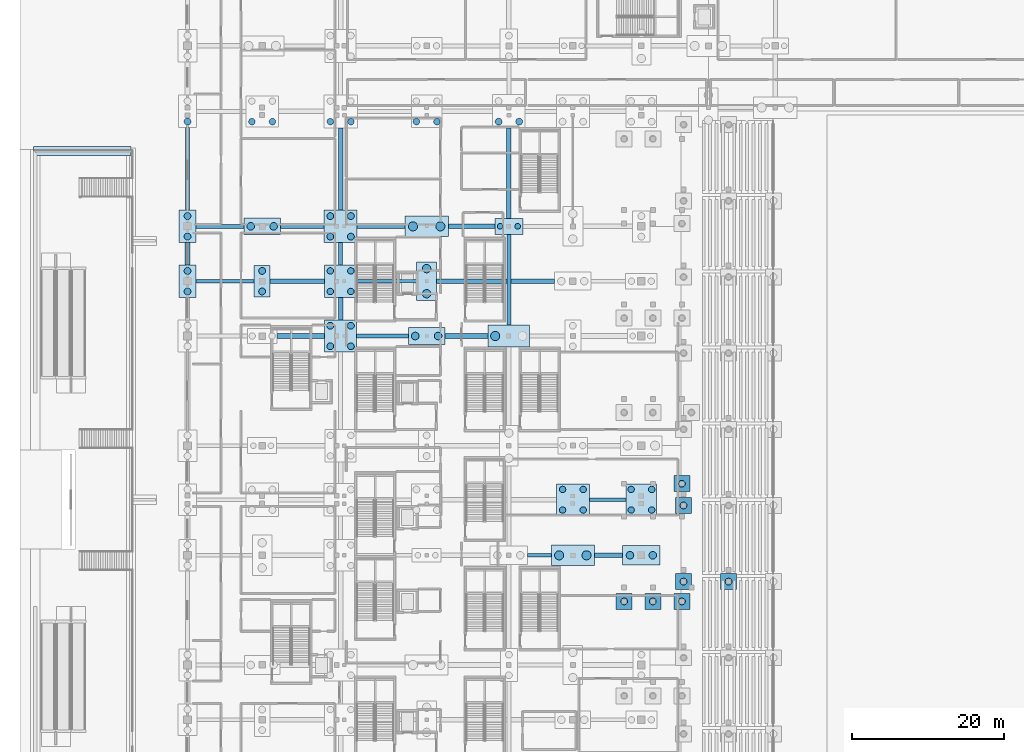
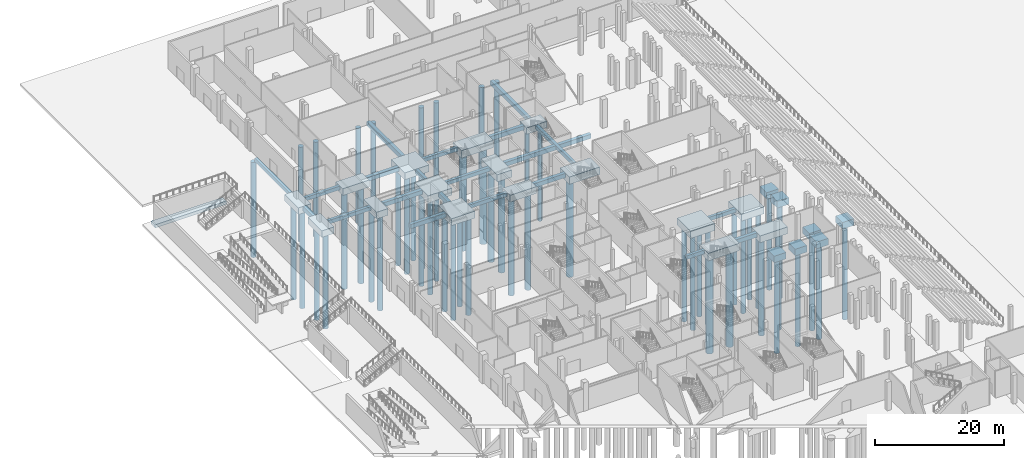
# One storey, part 5 of 89: 57 piles, 45 footings.
"""IFC4 building model written with IfcOpenShell, lengths in metres."""

from ifc_helpers import new_model, si_unit, direction, frame, origin, origin_2d, place, context, subcontext, project, spatial, rectangle, circle, extrude, material, material_profile, profile_set, type_object, element, save


model = new_model("IFC4")

# Units and contexts
model_context = context("Model", 3, precision=1e-05, world=origin(), true_north=direction((0.0, 1.0)))
body_context = subcontext(model_context, "Body", "Model", "MODEL_VIEW")
ifc_project = project(units=[si_unit("LENGTHUNIT", "METRE"), si_unit("AREAUNIT", "SQUARE_METRE"), si_unit("VOLUMEUNIT", "CUBIC_METRE"), si_unit("PLANEANGLEUNIT", "RADIAN"), si_unit("MASSUNIT", "GRAM", prefix="KILO")], contexts=[model_context])

# Site, building, storey
site_placement = place(None, origin())
site = spatial("IfcSite", under=ifc_project, at=site_placement, CompositionType="ELEMENT")
building_placement = place(site_placement, origin())
building = spatial("IfcBuilding", under=site, at=building_placement, Name="Koshinbarg Plaza Stadium", CompositionType="ELEMENT")
storey_placement = place(building_placement, origin())
storey = spatial("IfcBuildingStorey", under=building, at=storey_placement, Name="L00", CompositionType="ELEMENT", Elevation=0.0)

# Footings
ifc_material = material(Name="Concrete C35/45", Category="concrete")
ifc_material_profile_1 = material_profile(ifc_material, rectangle(XDim=0.5, YDim=0.699951171875, at=origin_2d()), Name="GB 500x700")
ifc_profile_set_1 = profile_set([ifc_material_profile_1], Name="Concrete C35/45")
footing_type_1 = type_object("IfcFootingType", Name="FT-GB-01", PredefinedType="FOOTING_BEAM", material=ifc_profile_set_1)
footing_1_placement = place(storey_placement, frame((48.659912109375, 68.699951171875, -0.800048828125), z_axis=(1.0, 0.0, 0.0), x_axis=(0.0, 1.0, 0.0)))
element("IfcFooting", 1, at=footing_1_placement, inside=storey, type_object=footing_type_1, Name="Ground footing beam GB-X-093", PredefinedType="FOOTING_BEAM", context=body_context, shape_type="SweptSolid", body=[
    extrude(rectangle(XDim=0.5, YDim=0.699951171875, at=origin_2d()), origin(), (0.0, 0.0, 1.0), 3.1201171875),
])
footing_2_placement = place(storey_placement, frame((56.760009765625, 76.0, -0.800048828125), z_axis=(1.0, 0.0, 0.0), x_axis=(0.0, 1.0, 0.0)))
element("IfcFooting", 2, at=footing_2_placement, inside=storey, type_object=footing_type_1, Name="Ground footing beam GB-X-103", PredefinedType="FOOTING_BEAM", context=body_context, shape_type="SweptSolid", body=[
    extrude(rectangle(XDim=0.5, YDim=0.699951171875, at=origin_2d()), origin(), (0.0, 0.0, 1.0), 4.840087890625),
])
footing_3_placement = place(storey_placement, frame((26.18994140625, 97.5, -0.800048828125), z_axis=(1.0, 0.0, 0.0), x_axis=(0.0, 1.0, 0.0)))
element("IfcFooting", 3, at=footing_3_placement, inside=storey, type_object=footing_type_1, Name="Ground footing beam GB-X-119", PredefinedType="FOOTING_BEAM", context=body_context, shape_type="SweptSolid", body=[
    extrude(rectangle(XDim=0.5, YDim=0.699951171875, at=origin_2d()), origin(), (0.0, 0.0, 1.0), 6.830078125),
])
footing_4_placement = place(storey_placement, frame((5.10009765625, 104.699951171875, -0.75), z_axis=(1.0, 0.0, 0.0), x_axis=(0.0, 1.0, 0.0)))
element("IfcFooting", 4, at=footing_4_placement, inside=storey, type_object=footing_type_1, Name="Ground footing beam GB-X-127", PredefinedType="FOOTING_BEAM", context=body_context, shape_type="SweptSolid", body=[
    extrude(rectangle(XDim=0.5, YDim=0.699951171875, at=origin_2d()), origin(), (0.0, 0.0, 1.0), 7.659912109375),
])
footing_5_placement = place(storey_placement, frame((26.22998046875, 104.699951171875, -0.800048828125), z_axis=(1.0, 0.0, 0.0), x_axis=(0.0, 1.0, 0.0)))
element("IfcFooting", 5, at=footing_5_placement, inside=storey, type_object=footing_type_1, Name="Ground footing beam GB-X-129", PredefinedType="FOOTING_BEAM", context=body_context, shape_type="SweptSolid", body=[
    extrude(rectangle(XDim=0.5, YDim=0.699951171875, at=origin_2d()), origin(), (0.0, 0.0, 1.0), 7.85009765625),
])
footing_6_placement = place(storey_placement, frame((5.139892578125, 111.89990234375, -0.75), z_axis=(1.0, 0.0, 0.0), x_axis=(0.0, 1.0, 0.0)))
element("IfcFooting", 6, at=footing_6_placement, inside=storey, type_object=footing_type_1, Name="Ground footing beam GB-X-135", PredefinedType="FOOTING_BEAM", context=body_context, shape_type="SweptSolid", body=[
    extrude(rectangle(XDim=0.5, YDim=0.699951171875, at=origin_2d()), origin(), (0.0, 0.0, 1.0), 6.280029296875),
])
footing_7_placement = place(storey_placement, frame((26.27001953125, 111.89990234375, -0.800048828125), z_axis=(1.0, 0.0, 0.0), x_axis=(0.0, 1.0, 0.0)))
element("IfcFooting", 7, at=footing_7_placement, inside=storey, type_object=footing_type_1, Name="Ground footing beam GB-X-137", PredefinedType="FOOTING_BEAM", context=body_context, shape_type="SweptSolid", body=[
    extrude(rectangle(XDim=0.5, YDim=0.699951171875, at=origin_2d()), origin(), (0.0, 0.0, 1.0), 6.27001953125),
])
footing_8_placement = place(storey_placement, frame((4.0, 114.030029296875, -0.75), z_axis=(0.0, 1.0, 0.0), x_axis=(-1.0, 0.0, 0.0)))
element("IfcFooting", 8, at=footing_8_placement, inside=storey, type_object=footing_type_1, Name="Ground footing beam GB-Y-201", PredefinedType="FOOTING_BEAM", context=body_context, shape_type="SweptSolid", body=[
    extrude(rectangle(XDim=0.5, YDim=0.699951171875, at=origin_2d()), origin(), (0.0, 0.0, 1.0), 10.840087890625),
])
footing_9_placement = place(storey_placement, frame((24.10009765625, 106.820068359375, -0.800048828125), z_axis=(0.0, 1.0, 0.0), x_axis=(-1.0, 0.0, 0.0)))
element("IfcFooting", 9, at=footing_9_placement, inside=storey, type_object=footing_type_1, Name="Ground footing beam GB-Y-215", PredefinedType="FOOTING_BEAM", context=body_context, shape_type="SweptSolid", body=[
    extrude(rectangle(XDim=0.5, YDim=0.699951171875, at=origin_2d()), origin(), (0.0, 0.0, 1.0), 2.9599609375),
])
footing_10_placement = place(storey_placement, frame((46.199951171875, 98.9599609375, -0.800048828125), z_axis=(0.0, 1.0, 0.0), x_axis=(-1.0, 0.0, 0.0)))
element("IfcFooting", 10, at=footing_10_placement, inside=storey, type_object=footing_type_1, Name="Ground footing beam GB-Y-227", PredefinedType="FOOTING_BEAM", context=body_context, shape_type="SweptSolid", body=[
    extrude(rectangle(XDim=0.5, YDim=0.699951171875, at=origin_2d()), origin(), (0.0, 0.0, 1.0), 11.880126953125),
])
ifc_material_profile_2 = material_profile(ifc_material, rectangle(XDim=0.60009765625, YDim=0.800048828125, at=origin_2d()), Name="GB 600x800")
ifc_profile_set_2 = profile_set([ifc_material_profile_2], Name="Concrete C35/45")
footing_type_2 = type_object("IfcFootingType", Name="FT-GB-02", PredefinedType="FOOTING_BEAM", material=ifc_profile_set_2)
footing_11_placement = place(storey_placement, frame((57.419921875, 68.699951171875, -0.85009765625), z_axis=(1.0, 0.0, 0.0), x_axis=(0.0, 1.0, 0.0)))
element("IfcFooting", 11, at=footing_11_placement, inside=storey, type_object=footing_type_2, Name="Ground footing beam GB-X-094", PredefinedType="FOOTING_BEAM", context=body_context, shape_type="SweptSolid", body=[
    extrude(rectangle(XDim=0.60009765625, YDim=0.800048828125, at=origin_2d()), origin(), (0.0, 0.0, 1.0), 3.719970703125),
])
footing_12_placement = place(storey_placement, frame((15.75, 97.5, -0.85009765625), z_axis=(1.0, 0.0, 0.0), x_axis=(0.0, 1.0, 0.0)))
element("IfcFooting", 12, at=footing_12_placement, inside=storey, type_object=footing_type_2, Name="Ground footing beam GB-X-118", PredefinedType="FOOTING_BEAM", context=body_context, shape_type="SweptSolid", body=[
    extrude(rectangle(XDim=0.60009765625, YDim=0.800048828125, at=origin_2d()), origin(), (0.0, 0.0, 1.0), 6.260009765625),
])
footing_13_placement = place(storey_placement, frame((37.780029296875, 97.5, -0.85009765625), z_axis=(1.0, 0.0, 0.0), x_axis=(0.0, 1.0, 0.0)))
element("IfcFooting", 13, at=footing_13_placement, inside=storey, type_object=footing_type_2, Name="Ground footing beam GB-X-120", PredefinedType="FOOTING_BEAM", context=body_context, shape_type="SweptSolid", body=[
    extrude(rectangle(XDim=0.60009765625, YDim=0.800048828125, at=origin_2d()), origin(), (0.0, 0.0, 1.0), 5.679931640625),
])
footing_14_placement = place(storey_placement, frame((14.840087890625, 104.699951171875, -0.85009765625), z_axis=(1.0, 0.0, 0.0), x_axis=(0.0, 1.0, 0.0)))
element("IfcFooting", 14, at=footing_14_placement, inside=storey, type_object=footing_type_2, Name="Ground footing beam GB-X-128", PredefinedType="FOOTING_BEAM", context=body_context, shape_type="SweptSolid", body=[
    extrude(rectangle(XDim=0.60009765625, YDim=0.800048828125, at=origin_2d()), origin(), (0.0, 0.0, 1.0), 7.1298828125),
])
footing_15_placement = place(storey_placement, frame((36.719970703125, 104.699951171875, -0.85009765625), z_axis=(1.0, 0.0, 0.0), x_axis=(0.0, 1.0, 0.0)))
element("IfcFooting", 15, at=footing_15_placement, inside=storey, type_object=footing_type_2, Name="Ground footing beam GB-X-130", PredefinedType="FOOTING_BEAM", context=body_context, shape_type="SweptSolid", body=[
    extrude(rectangle(XDim=0.60009765625, YDim=0.800048828125, at=origin_2d()), origin(), (0.0, 0.0, 1.0), 15.5),
])
footing_16_placement = place(storey_placement, frame((16.179931640625, 111.89990234375, -0.85009765625), z_axis=(1.0, 0.0, 0.0), x_axis=(0.0, 1.0, 0.0)))
element("IfcFooting", 16, at=footing_16_placement, inside=storey, type_object=footing_type_2, Name="Ground footing beam GB-X-136", PredefinedType="FOOTING_BEAM", context=body_context, shape_type="SweptSolid", body=[
    extrude(rectangle(XDim=0.60009765625, YDim=0.800048828125, at=origin_2d()), origin(), (0.0, 0.0, 1.0), 5.75),
])
footing_17_placement = place(storey_placement, frame((38.260009765625, 111.89990234375, -0.85009765625), z_axis=(1.0, 0.0, 0.0), x_axis=(0.0, 1.0, 0.0)))
element("IfcFooting", 17, at=footing_17_placement, inside=storey, type_object=footing_type_2, Name="Ground footing beam GB-X-138", PredefinedType="FOOTING_BEAM", context=body_context, shape_type="SweptSolid", body=[
    extrude(rectangle(XDim=0.60009765625, YDim=0.800048828125, at=origin_2d()), origin(), (0.0, 0.0, 1.0), 6.110107421875),
])
footing_18_placement = place(storey_placement, frame((4.0, 106.830078125, -0.800048828125), z_axis=(0.0, 1.0, 0.0), x_axis=(-1.0, 0.0, 0.0)))
element("IfcFooting", 18, at=footing_18_placement, inside=storey, type_object=footing_type_2, Name="Ground footing beam GB-Y-200", PredefinedType="FOOTING_BEAM", context=body_context, shape_type="SweptSolid", body=[
    extrude(rectangle(XDim=0.60009765625, YDim=0.800048828125, at=origin_2d()), origin(), (0.0, 0.0, 1.0), 2.93994140625),
])
footing_19_placement = place(storey_placement, frame((24.10009765625, 99.6201171875, -0.85009765625), z_axis=(0.0, 1.0, 0.0), x_axis=(-1.0, 0.0, 0.0)))
element("IfcFooting", 19, at=footing_19_placement, inside=storey, type_object=footing_type_2, Name="Ground footing beam GB-Y-214", PredefinedType="FOOTING_BEAM", context=body_context, shape_type="SweptSolid", body=[
    extrude(rectangle(XDim=0.60009765625, YDim=0.800048828125, at=origin_2d()), origin(), (0.0, 0.0, 1.0), 2.9599609375),
])
footing_20_placement = place(storey_placement, frame((24.10009765625, 114.02001953125, -0.85009765625), z_axis=(0.0, 1.0, 0.0), x_axis=(-1.0, 0.0, 0.0)))
element("IfcFooting", 20, at=footing_20_placement, inside=storey, type_object=footing_type_2, Name="Ground footing beam GB-Y-216", PredefinedType="FOOTING_BEAM", context=body_context, shape_type="SweptSolid", body=[
    extrude(rectangle(XDim=0.60009765625, YDim=0.800048828125, at=origin_2d()), origin(), (0.0, 0.0, 1.0), 10.81005859375),
])
footing_21_placement = place(storey_placement, frame((46.199951171875, 112.9599609375, -0.85009765625), z_axis=(0.0, 1.0, 0.0), x_axis=(-1.0, 0.0, 0.0)))
element("IfcFooting", 21, at=footing_21_placement, inside=storey, type_object=footing_type_2, Name="Ground footing beam GB-Y-228", PredefinedType="FOOTING_BEAM", context=body_context, shape_type="SweptSolid", body=[
    extrude(rectangle(XDim=0.60009765625, YDim=0.800048828125, at=origin_2d()), origin(), (0.0, 0.0, 1.0), 11.830078125),
])
footing_type_3 = type_object("IfcFootingType", Name="FT-PC-208x410x125", PredefinedType="PILE_CAP", material=ifc_material)
footing_22_placement = place(storey_placement, frame((13.800048828125, 104.699951171875, -1.64990234375), z_axis=(0.0, 0.0, 1.0), x_axis=(1.0, 0.0, 0.0)))
element("IfcFooting", 22, at=footing_22_placement, inside=storey, type_object=footing_type_3, Name="Bored pile cap CAP-027", PredefinedType="PILE_CAP", context=body_context, shape_type="SweptSolid", body=[
    extrude(rectangle(XDim=2.080078125, YDim=4.10009765625, at=origin_2d()), origin(), (0.0, 0.0, 1.0), 1.25),
])
footing_type_4 = type_object("IfcFootingType", Name="FT-PC-210x210x125", PredefinedType="PILE_CAP", material=ifc_material)
for number, where, z_axis, x_axis, name in (
    (23, (75.050048828125, 65.25, -1.699951171875), (0.0, 0.0, 1.0), (1.0, 0.0, 0.0), "Bowl raker pile cap LT-W04-R-M"),
    (24, (69.139892578125, 65.25, -1.699951171875), (0.0, 0.0, 1.0), (1.0, 0.0, 0.0), "Bowl raker pile cap LT-W04-R-B"),
    (25, (69.139892578125, 75.25, -1.699951171875), (0.0, 0.0, 1.0), (1.0, 0.0, 0.0), "Bowl raker pile cap LT-W05-R-B"),
    (26, (68.919921875, 62.64990234375, -1.699951171875), (0.0, 0.0, 1.0), (1.0, 0.0, 0.0), "Bowl raker pile cap UT-W03-R-CF"),
    (27, (65.10009765625, 62.64990234375, -1.699951171875), (0.0, 0.0, 1.0), (1.0, 0.0, 0.0), "Bowl raker pile cap UT-W03-R-CM"),
    (28, (61.340087890625, 62.64990234375, -1.699951171875), (0.0, 0.0, 1.0), (1.0, 0.0, 0.0), "Bowl raker pile cap UT-W03-R-CB"),
    (29, (68.919921875, 78.10009765625, -1.699951171875), (0.0, 0.0, 1.0), (1.0, 0.0, 0.0), "Bowl raker pile cap UT-W05-L-CF"),
):
    element("IfcFooting", number, at=place(storey_placement, frame(where, z_axis=z_axis, x_axis=x_axis)), inside=storey, type_object=footing_type_4, Name=name, PredefinedType="PILE_CAP", context=body_context, shape_type="SweptSolid", body=[
        extrude(rectangle(XDim=2.10009765625, YDim=2.10009765625, at=origin_2d()), origin(), (0.0, 0.0, 1.0), 1.25),
    ])
footing_type_5 = type_object("IfcFootingType", Name="FT-PC-220x426x125", PredefinedType="PILE_CAP", material=ifc_material)
footing_23_placement = place(storey_placement, frame((4.0, 104.699951171875, -1.64990234375), z_axis=(0.0, 0.0, 1.0), x_axis=(1.0, 0.0, 0.0)))
element("IfcFooting", 30, at=footing_23_placement, inside=storey, type_object=footing_type_5, Name="Bored pile cap CAP-011", PredefinedType="PILE_CAP", context=body_context, shape_type="SweptSolid", body=[
    extrude(rectangle(XDim=2.199951171875, YDim=4.260009765625, at=origin_2d()), origin(), (0.0, 0.0, 1.0), 1.25),
])
footing_type_6 = type_object("IfcFootingType", Name="FT-PC-228x426x125", PredefinedType="PILE_CAP", material=ifc_material)
footing_24_placement = place(storey_placement, frame((4.0, 111.89990234375, -1.64990234375), z_axis=(0.0, 0.0, 1.0), x_axis=(1.0, 0.0, 0.0)))
element("IfcFooting", 31, at=footing_24_placement, inside=storey, type_object=footing_type_6, Name="Bored pile cap CAP-012", PredefinedType="PILE_CAP", context=body_context, shape_type="SweptSolid", body=[
    extrude(rectangle(XDim=2.280029296875, YDim=4.260009765625, at=origin_2d()), origin(), (0.0, 0.0, 1.0), 1.25),
])
footing_type_7 = type_object("IfcFootingType", Name="FT-PC-264x508x135", PredefinedType="PILE_CAP", material=ifc_material)
footing_25_placement = place(storey_placement, frame((35.39990234375, 104.699951171875, -1.800048828125), z_axis=(0.0, 0.0, 1.0), x_axis=(1.0, 0.0, 0.0)))
element("IfcFooting", 32, at=footing_25_placement, inside=storey, type_object=footing_type_7, Name="Bored pile cap CAP-059", PredefinedType="PILE_CAP", context=body_context, shape_type="SweptSolid", body=[
    extrude(rectangle(XDim=2.639892578125, YDim=5.080078125, at=origin_2d()), origin(), (0.0, 0.0, 1.0), 1.35009765625),
])
footing_type_8 = type_object("IfcFootingType", Name="FT-PC-366x212x120", PredefinedType="PILE_CAP", material=ifc_material)
footing_26_placement = place(storey_placement, frame((46.199951171875, 111.89990234375, -1.64990234375), z_axis=(0.0, 0.0, 1.0), x_axis=(1.0, 0.0, 0.0)))
element("IfcFooting", 33, at=footing_26_placement, inside=storey, type_object=footing_type_8, Name="Bored pile cap CAP-073", PredefinedType="PILE_CAP", context=body_context, shape_type="SweptSolid", body=[
    extrude(rectangle(XDim=3.659912109375, YDim=2.1201171875, at=origin_2d()), origin(), (0.0, 0.0, 1.0), 1.199951171875),
])
footing_type_9 = type_object("IfcFootingType", Name="FT-PC-400x410x130", PredefinedType="PILE_CAP", material=ifc_material)
footing_27_placement = place(storey_placement, frame((63.60009765625, 76.0, -1.75), z_axis=(0.0, 0.0, 1.0), x_axis=(1.0, 0.0, 0.0)))
element("IfcFooting", 34, at=footing_27_placement, inside=storey, type_object=footing_type_9, Name="Bored pile cap CAP-101", PredefinedType="PILE_CAP", context=body_context, shape_type="SweptSolid", body=[
    extrude(rectangle(XDim=4.0, YDim=4.10009765625, at=origin_2d()), origin(), (0.0, 0.0, 1.0), 1.300048828125),
])
footing_type_10 = type_object("IfcFootingType", Name="FT-PC-418x424x130", PredefinedType="PILE_CAP", material=ifc_material)
footing_28_placement = place(storey_placement, frame((24.10009765625, 97.5, -1.75), z_axis=(0.0, 0.0, 1.0), x_axis=(1.0, 0.0, 0.0)))
element("IfcFooting", 35, at=footing_28_placement, inside=storey, type_object=footing_type_10, Name="Bored pile cap CAP-042", PredefinedType="PILE_CAP", context=body_context, shape_type="SweptSolid", body=[
    extrude(rectangle(XDim=4.179931640625, YDim=4.239990234375, at=origin_2d()), origin(), (0.0, 0.0, 1.0), 1.300048828125),
])
footing_type_11 = type_object("IfcFootingType", Name="FT-PC-426x424x135", PredefinedType="PILE_CAP", material=ifc_material)
footing_29_placement = place(storey_placement, frame((24.10009765625, 104.699951171875, -1.800048828125), z_axis=(0.0, 0.0, 1.0), x_axis=(1.0, 0.0, 0.0)))
element("IfcFooting", 36, at=footing_29_placement, inside=storey, type_object=footing_type_11, Name="Bored pile cap CAP-043", PredefinedType="PILE_CAP", context=body_context, shape_type="SweptSolid", body=[
    extrude(rectangle(XDim=4.260009765625, YDim=4.239990234375, at=origin_2d()), origin(), (0.0, 0.0, 1.0), 1.35009765625),
])
footing_type_12 = type_object("IfcFootingType", Name="FT-PC-432x418x135", PredefinedType="PILE_CAP", material=ifc_material)
footing_30_placement = place(storey_placement, frame((54.60009765625, 76.0, -1.800048828125), z_axis=(0.0, 0.0, 1.0), x_axis=(1.0, 0.0, 0.0)))
element("IfcFooting", 37, at=footing_30_placement, inside=storey, type_object=footing_type_12, Name="Bored pile cap CAP-085", PredefinedType="PILE_CAP", context=body_context, shape_type="SweptSolid", body=[
    extrude(rectangle(XDim=4.320068359375, YDim=4.179931640625, at=origin_2d()), origin(), (0.0, 0.0, 1.0), 1.35009765625),
])
footing_type_13 = type_object("IfcFootingType", Name="FT-PC-434x424x130", PredefinedType="PILE_CAP", material=ifc_material)
footing_31_placement = place(storey_placement, frame((24.10009765625, 111.89990234375, -1.75), z_axis=(0.0, 0.0, 1.0), x_axis=(1.0, 0.0, 0.0)))
element("IfcFooting", 38, at=footing_31_placement, inside=storey, type_object=footing_type_13, Name="Bored pile cap CAP-044", PredefinedType="PILE_CAP", context=body_context, shape_type="SweptSolid", body=[
    extrude(rectangle(XDim=4.340087890625, YDim=4.239990234375, at=origin_2d()), origin(), (0.0, 0.0, 1.0), 1.300048828125),
])
footing_type_14 = type_object("IfcFootingType", Name="FT-PC-476x220x130", PredefinedType="PILE_CAP", material=ifc_material)
footing_32_placement = place(storey_placement, frame((13.800048828125, 111.89990234375, -1.7001953125), z_axis=(0.0, 0.0, 1.0), x_axis=(1.0, 0.0, 0.0)))
element("IfcFooting", 39, at=footing_32_placement, inside=storey, type_object=footing_type_14, Name="Bored pile cap CAP-028", PredefinedType="PILE_CAP", context=body_context, shape_type="SweptSolid", body=[
    extrude(rectangle(XDim=4.760009765625, YDim=2.199951171875, at=origin_2d()), origin(), (0.0, 0.0, 1.0), 1.300048828125),
])
footing_type_15 = type_object("IfcFootingType", Name="FT-PC-476x228x130", PredefinedType="PILE_CAP", material=ifc_material)
footing_33_placement = place(storey_placement, frame((35.39990234375, 97.5, -1.75), z_axis=(0.0, 0.0, 1.0), x_axis=(1.0, 0.0, 0.0)))
element("IfcFooting", 40, at=footing_33_placement, inside=storey, type_object=footing_type_15, Name="Bored pile cap CAP-058", PredefinedType="PILE_CAP", context=body_context, shape_type="SweptSolid", body=[
    extrude(rectangle(XDim=4.760009765625, YDim=2.280029296875, at=origin_2d()), origin(), (0.0, 0.0, 1.0), 1.300048828125),
])
footing_type_16 = type_object("IfcFootingType", Name="FT-PC-492x252x130", PredefinedType="PILE_CAP", material=ifc_material)
footing_34_placement = place(storey_placement, frame((63.60009765625, 68.699951171875, -1.75), z_axis=(0.0, 0.0, 1.0), x_axis=(1.0, 0.0, 0.0)))
element("IfcFooting", 41, at=footing_34_placement, inside=storey, type_object=footing_type_16, Name="Bored pile cap CAP-100", PredefinedType="PILE_CAP", context=body_context, shape_type="SweptSolid", body=[
    extrude(rectangle(XDim=4.919921875, YDim=2.52001953125, at=origin_2d()), origin(), (0.0, 0.0, 1.0), 1.300048828125),
])
footing_type_17 = type_object("IfcFootingType", Name="FT-PC-548x292x140", PredefinedType="PILE_CAP", material=ifc_material)
footing_35_placement = place(storey_placement, frame((46.199951171875, 97.5, -1.849853515625), z_axis=(0.0, 0.0, 1.0), x_axis=(1.0, 0.0, 0.0)))
element("IfcFooting", 42, at=footing_35_placement, inside=storey, type_object=footing_type_17, Name="Bored pile cap CAP-072", PredefinedType="PILE_CAP", context=body_context, shape_type="SweptSolid", body=[
    extrude(rectangle(XDim=5.47998046875, YDim=2.919921875, at=origin_2d()), origin(), (0.0, 0.0, 1.0), 1.39990234375),
])
footing_type_18 = type_object("IfcFootingType", Name="FT-PC-564x268x140", PredefinedType="PILE_CAP", material=ifc_material)
footing_36_placement = place(storey_placement, frame((54.60009765625, 68.699951171875, -1.849853515625), z_axis=(0.0, 0.0, 1.0), x_axis=(1.0, 0.0, 0.0)))
element("IfcFooting", 43, at=footing_36_placement, inside=storey, type_object=footing_type_18, Name="Bored pile cap CAP-084", PredefinedType="PILE_CAP", context=body_context, shape_type="SweptSolid", body=[
    extrude(rectangle(XDim=5.639892578125, YDim=2.679931640625, at=origin_2d()), origin(), (0.0, 0.0, 1.0), 1.39990234375),
])
footing_type_19 = type_object("IfcFootingType", Name="FT-PC-572x268x140", PredefinedType="PILE_CAP", material=ifc_material)
footing_37_placement = place(storey_placement, frame((35.39990234375, 111.89990234375, -1.849853515625), z_axis=(0.0, 0.0, 1.0), x_axis=(1.0, 0.0, 0.0)))
element("IfcFooting", 44, at=footing_37_placement, inside=storey, type_object=footing_type_19, Name="Bored pile cap CAP-060", PredefinedType="PILE_CAP", context=body_context, shape_type="SweptSolid", body=[
    extrude(rectangle(XDim=5.719970703125, YDim=2.679931640625, at=origin_2d()), origin(), (0.0, 0.0, 1.0), 1.39990234375),
])
ifc_material_profile_3 = material_profile(ifc_material, rectangle(XDim=1.199951171875, YDim=0.60009765625, at=origin_2d()), Name="SF 1200x600")
ifc_profile_set_3 = profile_set([ifc_material_profile_3], Name="Concrete C35/45")
footing_type_20 = type_object("IfcFootingType", Name="FT-SF-1200x600", PredefinedType="STRIP_FOOTING", material=ifc_profile_set_3)
footing_38_placement = place(storey_placement, frame((-3.39990234375, 121.800048828125, -4.14990234375), z_axis=(-1.0, 0.0, 0.0), x_axis=(0.0, -1.0, 0.0)))
element("IfcFooting", 45, at=footing_38_placement, inside=storey, type_object=footing_type_20, Name="Forecourt strip footing 03", PredefinedType="STRIP_FOOTING", context=body_context, shape_type="SweptSolid", body=[
    extrude(rectangle(XDim=1.199951171875, YDim=0.60009765625, at=origin_2d()), origin(), (0.0, 0.0, 1.0), 12.800048828125),
])

# Piles
ifc_material_profile_4 = material_profile(ifc_material, circle(Radius=0.5, at=origin_2d()), Name="PILE D1000")
ifc_profile_set_4 = profile_set([ifc_material_profile_4], Name="Concrete C35/45")
pile_type_1 = type_object("IfcPileType", Name="PL-D1000", PredefinedType="BORED", material=ifc_profile_set_4)
for number, where, z_axis, x_axis, name in (
    (46, (12.300048828125, 111.89990234375, -1.60009765625), (0.0, 0.0, -1.0), (1.0, 0.0, 0.0), "Bored pile CAP-028-1"),
    (47, (15.300048828125, 111.89990234375, -1.60009765625), (0.0, 0.0, -1.0), (1.0, 0.0, 0.0), "Bored pile CAP-028-2"),
    (48, (33.89990234375, 97.5, -1.64990234375), (0.0, 0.0, -1.0), (1.0, 0.0, 0.0), "Bored pile CAP-058-1"),
    (49, (36.89990234375, 97.5, -1.64990234375), (0.0, 0.0, -1.0), (1.0, 0.0, 0.0), "Bored pile CAP-058-2"),
    (50, (62.10009765625, 68.699951171875, -1.64990234375), (0.0, 0.0, -1.0), (1.0, 0.0, 0.0), "Bored pile CAP-100-1"),
    (51, (65.10009765625, 68.699951171875, -1.64990234375), (0.0, 0.0, -1.0), (1.0, 0.0, 0.0), "Bored pile CAP-100-2"),
):
    element("IfcPile", number, at=place(storey_placement, frame(where, z_axis=z_axis, x_axis=x_axis)), inside=storey, type_object=pile_type_1, Name=name, PredefinedType="BORED", context=body_context, shape_type="SweptSolid", body=[
        extrude(circle(Radius=0.5, at=origin_2d()), origin(), (0.0, 0.0, 1.0), 18.5),
    ])
ifc_material_profile_5 = material_profile(ifc_material, circle(Radius=0.550048828125, at=origin_2d()), Name="PILE D1100")
ifc_profile_set_5 = profile_set([ifc_material_profile_5], Name="Concrete C35/45")
pile_type_2 = type_object("IfcPileType", Name="PL-D1100", PredefinedType="BORED", material=ifc_profile_set_5)
for number, where, z_axis, x_axis, name in (
    (52, (35.39990234375, 103.050048828125, -1.699951171875), (0.0, 0.0, -1.0), (1.0, 0.0, 0.0), "Bored pile CAP-059-1"),
    (53, (35.39990234375, 106.35009765625, -1.699951171875), (0.0, 0.0, -1.0), (1.0, 0.0, 0.0), "Bored pile CAP-059-2"),
):
    element("IfcPile", number, at=place(storey_placement, frame(where, z_axis=z_axis, x_axis=x_axis)), inside=storey, type_object=pile_type_2, Name=name, PredefinedType="BORED", context=body_context, shape_type="SweptSolid", body=[
        extrude(circle(Radius=0.550048828125, at=origin_2d()), origin(), (0.0, 0.0, 1.0), 18.0),
    ])
ifc_material_profile_6 = material_profile(ifc_material, circle(Radius=0.60009765625, at=origin_2d()), Name="PILE D1200")
ifc_profile_set_6 = profile_set([ifc_material_profile_6], Name="Concrete C35/45")
pile_type_3 = type_object("IfcPileType", Name="PL-D1200", PredefinedType="BORED", material=ifc_profile_set_6)
for number, where, z_axis, x_axis, name in (
    (54, (33.60009765625, 111.89990234375, -1.75), (0.0, 0.0, -1.0), (1.0, 0.0, 0.0), "Bored pile CAP-060-1"),
    (55, (37.199951171875, 111.89990234375, -1.75), (0.0, 0.0, -1.0), (1.0, 0.0, 0.0), "Bored pile CAP-060-2"),
    (56, (44.39990234375, 97.5, -1.75), (0.0, 0.0, -1.0), (1.0, 0.0, 0.0), "Bored pile CAP-072-1"),
    (57, (52.800048828125, 68.699951171875, -1.75), (0.0, 0.0, -1.0), (1.0, 0.0, 0.0), "Bored pile CAP-084-1"),
    (58, (56.39990234375, 68.699951171875, -1.75), (0.0, 0.0, -1.0), (1.0, 0.0, 0.0), "Bored pile CAP-084-2"),
):
    element("IfcPile", number, at=place(storey_placement, frame(where, z_axis=z_axis, x_axis=x_axis)), inside=storey, type_object=pile_type_3, Name=name, PredefinedType="BORED", context=body_context, shape_type="SweptSolid", body=[
        extrude(circle(Radius=0.60009765625, at=origin_2d()), origin(), (0.0, 0.0, 1.0), 18.5),
    ])
ifc_material_profile_7 = material_profile(ifc_material, circle(Radius=0.375, at=origin_2d()), Name="PILE D750")
ifc_profile_set_7 = profile_set([ifc_material_profile_7], Name="Concrete C35/45")
pile_type_4 = type_object("IfcPileType", Name="PL-D750", PredefinedType="BORED", material=ifc_profile_set_7)
for number, where, z_axis, x_axis, name in (
    (59, (45.050048828125, 111.89990234375, -1.550048828125), (0.0, 0.0, -1.0), (1.0, 0.0, 0.0), "Bored pile CAP-073-1"),
    (60, (47.35009765625, 111.89990234375, -1.550048828125), (0.0, 0.0, -1.0), (1.0, 0.0, 0.0), "Bored pile CAP-073-2"),
):
    element("IfcPile", number, at=place(storey_placement, frame(where, z_axis=z_axis, x_axis=x_axis)), inside=storey, type_object=pile_type_4, Name=name, PredefinedType="BORED", context=body_context, shape_type="SweptSolid", body=[
        extrude(circle(Radius=0.375, at=origin_2d()), origin(), (0.0, 0.0, 1.0), 18.0),
    ])
ifc_material_profile_8 = material_profile(ifc_material, circle(Radius=0.425048828125, at=origin_2d()), Name="PILE D850")
ifc_profile_set_8 = profile_set([ifc_material_profile_8], Name="Concrete C35/45")
pile_type_5 = type_object("IfcPileType", Name="PL-D850", PredefinedType="BORED", material=ifc_profile_set_8)
for number, where, z_axis, x_axis, name in (
    (61, (12.449951171875, 125.64990234375, -1.60009765625), (0.0, 0.0, -1.0), (1.0, 0.0, 0.0), "Bored pile CAP-029-1"),
    (62, (15.14990234375, 125.64990234375, -1.60009765625), (0.0, 0.0, -1.0), (1.0, 0.0, 0.0), "Bored pile CAP-029-2"),
    (63, (22.75, 103.35009765625, -1.699951171875), (0.0, 0.0, -1.0), (1.0, 0.0, 0.0), "Bored pile CAP-043-1"),
    (64, (25.449951171875, 103.35009765625, -1.699951171875), (0.0, 0.0, -1.0), (1.0, 0.0, 0.0), "Bored pile CAP-043-2"),
    (65, (22.75, 106.050048828125, -1.699951171875), (0.0, 0.0, -1.0), (1.0, 0.0, 0.0), "Bored pile CAP-043-3"),
    (66, (25.449951171875, 106.050048828125, -1.699951171875), (0.0, 0.0, -1.0), (1.0, 0.0, 0.0), "Bored pile CAP-043-4"),
    (67, (22.75, 125.64990234375, -1.64990234375), (0.0, 0.0, -1.0), (1.0, 0.0, 0.0), "Bored pile CAP-045-1"),
    (68, (25.449951171875, 125.64990234375, -1.64990234375), (0.0, 0.0, -1.0), (1.0, 0.0, 0.0), "Bored pile CAP-045-2"),
    (69, (34.050048828125, 125.64990234375, -1.699951171875), (0.0, 0.0, -1.0), (1.0, 0.0, 0.0), "Bored pile CAP-061-1"),
    (70, (36.75, 125.64990234375, -1.699951171875), (0.0, 0.0, -1.0), (1.0, 0.0, 0.0), "Bored pile CAP-061-2"),
    (71, (53.25, 74.64990234375, -1.699951171875), (0.0, 0.0, -1.0), (1.0, 0.0, 0.0), "Bored pile CAP-085-1"),
    (72, (55.949951171875, 74.64990234375, -1.699951171875), (0.0, 0.0, -1.0), (1.0, 0.0, 0.0), "Bored pile CAP-085-2"),
    (73, (53.25, 77.35009765625, -1.699951171875), (0.0, 0.0, -1.0), (1.0, 0.0, 0.0), "Bored pile CAP-085-3"),
    (74, (55.949951171875, 77.35009765625, -1.699951171875), (0.0, 0.0, -1.0), (1.0, 0.0, 0.0), "Bored pile CAP-085-4"),
    (75, (62.25, 74.64990234375, -1.64990234375), (0.0, 0.0, -1.0), (1.0, 0.0, 0.0), "Bored pile CAP-101-1"),
    (76, (64.949951171875, 74.64990234375, -1.64990234375), (0.0, 0.0, -1.0), (1.0, 0.0, 0.0), "Bored pile CAP-101-2"),
    (77, (62.25, 77.35009765625, -1.64990234375), (0.0, 0.0, -1.0), (1.0, 0.0, 0.0), "Bored pile CAP-101-3"),
    (78, (64.949951171875, 77.35009765625, -1.64990234375), (0.0, 0.0, -1.0), (1.0, 0.0, 0.0), "Bored pile CAP-101-4"),
):
    element("IfcPile", number, at=place(storey_placement, frame(where, z_axis=z_axis, x_axis=x_axis)), inside=storey, type_object=pile_type_5, Name=name, PredefinedType="BORED", context=body_context, shape_type="SweptSolid", body=[
        extrude(circle(Radius=0.425048828125, at=origin_2d()), origin(), (0.0, 0.0, 1.0), 18.0),
    ])
ifc_material_profile_9 = material_profile(ifc_material, circle(Radius=0.449951171875, at=origin_2d()), Name="PILE D900")
ifc_profile_set_9 = profile_set([ifc_material_profile_9], Name="Concrete C35/45")
pile_type_6 = type_object("IfcPileType", Name="PL-D900", PredefinedType="BORED", material=ifc_profile_set_9)
for number, where, z_axis, x_axis, name in (
    (79, (4.0, 103.35009765625, -1.550048828125), (0.0, 0.0, -1.0), (1.0, 0.0, 0.0), "Bored pile CAP-011-1"),
    (80, (4.0, 106.050048828125, -1.550048828125), (0.0, 0.0, -1.0), (1.0, 0.0, 0.0), "Bored pile CAP-011-2"),
):
    element("IfcPile", number, at=place(storey_placement, frame(where, z_axis=z_axis, x_axis=x_axis)), inside=storey, type_object=pile_type_6, Name=name, PredefinedType="BORED", context=body_context, shape_type="SweptSolid", body=[
        extrude(circle(Radius=0.449951171875, at=origin_2d()), origin(), (0.0, 0.0, 1.0), 18.0),
    ])
for number, where, z_axis, x_axis, name in (
    (81, (4.0, 110.550048828125, -1.550048828125), (0.0, 0.0, -1.0), (1.0, 0.0, 0.0), "Bored pile CAP-012-1"),
    (82, (4.0, 113.25, -1.550048828125), (0.0, 0.0, -1.0), (1.0, 0.0, 0.0), "Bored pile CAP-012-2"),
):
    element("IfcPile", number, at=place(storey_placement, frame(where, z_axis=z_axis, x_axis=x_axis)), inside=storey, type_object=pile_type_6, Name=name, PredefinedType="BORED", context=body_context, shape_type="SweptSolid", body=[
        extrude(circle(Radius=0.449951171875, at=origin_2d()), origin(), (0.0, 0.0, 1.0), 18.5),
    ])
for number, where, z_axis, x_axis, name in (
    (83, (4.0, 125.64990234375, -1.550048828125), (0.0, 0.0, -1.0), (1.0, 0.0, 0.0), "Bored pile CAP-013-1"),
    (84, (13.800048828125, 103.35009765625, -1.550048828125), (0.0, 0.0, -1.0), (1.0, 0.0, 0.0), "Bored pile CAP-027-1"),
    (85, (13.800048828125, 106.050048828125, -1.550048828125), (0.0, 0.0, -1.0), (1.0, 0.0, 0.0), "Bored pile CAP-027-2"),
):
    element("IfcPile", number, at=place(storey_placement, frame(where, z_axis=z_axis, x_axis=x_axis)), inside=storey, type_object=pile_type_6, Name=name, PredefinedType="BORED", context=body_context, shape_type="SweptSolid", body=[
        extrude(circle(Radius=0.449951171875, at=origin_2d()), origin(), (0.0, 0.0, 1.0), 18.0),
    ])
for number, where, z_axis, x_axis, name in (
    (86, (22.75, 96.14990234375, -1.64990234375), (0.0, 0.0, -1.0), (1.0, 0.0, 0.0), "Bored pile CAP-042-1"),
    (87, (25.449951171875, 96.14990234375, -1.64990234375), (0.0, 0.0, -1.0), (1.0, 0.0, 0.0), "Bored pile CAP-042-2"),
    (88, (22.75, 98.85009765625, -1.64990234375), (0.0, 0.0, -1.0), (1.0, 0.0, 0.0), "Bored pile CAP-042-3"),
    (89, (25.449951171875, 98.85009765625, -1.64990234375), (0.0, 0.0, -1.0), (1.0, 0.0, 0.0), "Bored pile CAP-042-4"),
    (90, (22.75, 110.550048828125, -1.64990234375), (0.0, 0.0, -1.0), (1.0, 0.0, 0.0), "Bored pile CAP-044-1"),
    (91, (25.449951171875, 110.550048828125, -1.64990234375), (0.0, 0.0, -1.0), (1.0, 0.0, 0.0), "Bored pile CAP-044-2"),
    (92, (22.75, 113.25, -1.64990234375), (0.0, 0.0, -1.0), (1.0, 0.0, 0.0), "Bored pile CAP-044-3"),
    (93, (25.449951171875, 113.25, -1.64990234375), (0.0, 0.0, -1.0), (1.0, 0.0, 0.0), "Bored pile CAP-044-4"),
    (94, (44.85009765625, 125.64990234375, -1.64990234375), (0.0, 0.0, -1.0), (1.0, 0.0, 0.0), "Bored pile CAP-074-1"),
    (95, (47.550048828125, 125.64990234375, -1.64990234375), (0.0, 0.0, -1.0), (1.0, 0.0, 0.0), "Bored pile CAP-074-2"),
):
    element("IfcPile", number, at=place(storey_placement, frame(where, z_axis=z_axis, x_axis=x_axis)), inside=storey, type_object=pile_type_6, Name=name, PredefinedType="BORED", context=body_context, shape_type="SweptSolid", body=[
        extrude(circle(Radius=0.449951171875, at=origin_2d()), origin(), (0.0, 0.0, 1.0), 18.5),
    ])
for number, where, z_axis, x_axis, name in (
    (96, (75.050048828125, 65.25, -1.60009765625), (0.0, 0.0, -1.0), (1.0, 0.0, 0.0), "Bowl raker bored pile LT-W04-R-M"),
    (97, (69.139892578125, 65.25, -1.60009765625), (0.0, 0.0, -1.0), (1.0, 0.0, 0.0), "Bowl raker bored pile LT-W04-R-B"),
    (98, (69.139892578125, 75.25, -1.60009765625), (0.0, 0.0, -1.0), (1.0, 0.0, 0.0), "Bowl raker bored pile LT-W05-R-B"),
    (99, (68.919921875, 62.64990234375, -1.60009765625), (0.0, 0.0, -1.0), (1.0, 0.0, 0.0), "Bowl raker bored pile UT-W03-R-CF"),
    (100, (65.10009765625, 62.64990234375, -1.60009765625), (0.0, 0.0, -1.0), (1.0, 0.0, 0.0), "Bowl raker bored pile UT-W03-R-CM"),
    (101, (61.340087890625, 62.64990234375, -1.60009765625), (0.0, 0.0, -1.0), (1.0, 0.0, 0.0), "Bowl raker bored pile UT-W03-R-CB"),
    (102, (68.919921875, 78.10009765625, -1.60009765625), (0.0, 0.0, -1.0), (1.0, 0.0, 0.0), "Bowl raker bored pile UT-W05-L-CF"),
):
    element("IfcPile", number, at=place(storey_placement, frame(where, z_axis=z_axis, x_axis=x_axis)), inside=storey, type_object=pile_type_6, Name=name, PredefinedType="BORED", context=body_context, shape_type="SweptSolid", body=[
        extrude(circle(Radius=0.449951171875, at=origin_2d()), origin(), (0.0, 0.0, 1.0), 18.0),
    ])

save(model, "model.ifc")
